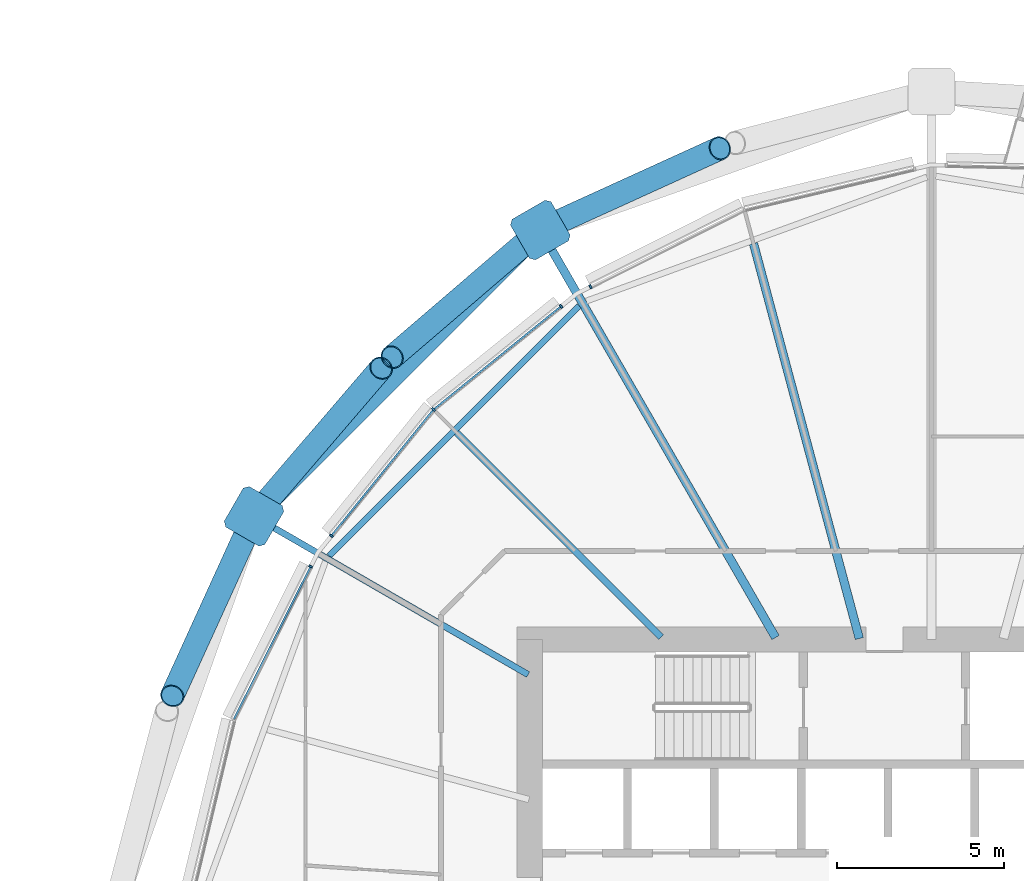
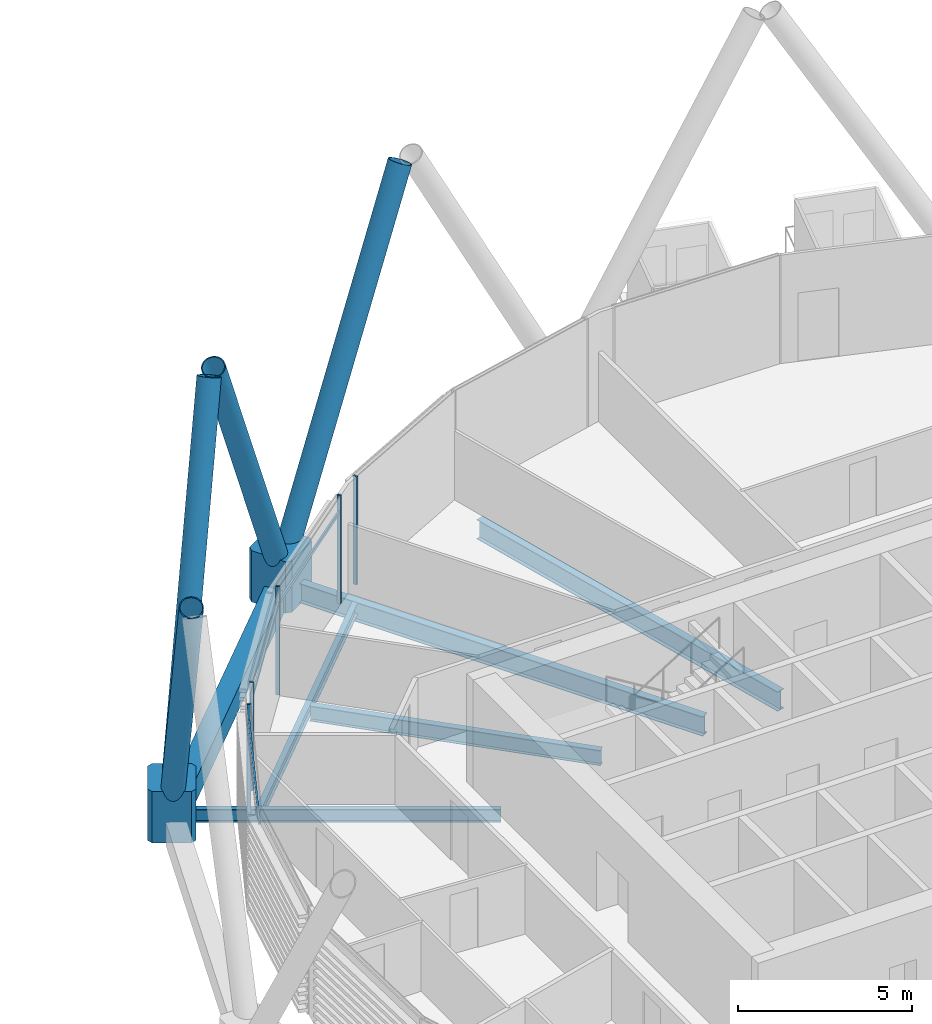
# One storey, part 18 of 38: 14 members, 6 beams, 1 element without a shape of its own.
"""IFC4 building model written with IfcOpenShell, lengths in metres."""

import ifcopenshell
import ifcopenshell.guid

model = None  # the IFC model being written
_history = None  # IfcOwnerHistory: only IFC2X3 demands one
_inside = {}  # id of a spatial element -> (the spatial element, [elements in it])
_under = {}  # id of a project, library or spatial element -> (it, [spatial elements below it])
_declared = {}  # id of a project -> (the project, [libraries it declares])
_typed = {}  # id of a type object -> (the type object, [elements of that type])
_made_of = {}  # id of a material, layer set ... -> (it, [elements and type objects made of it])


def new_model(schema):
    """Start an empty IFC model of exactly this schema.

    Asked for "IFC4X3", IfcOpenShell would pick the latest addendum, in which some entities
    have other attributes; the version numbers below select the first issue.
    IFC2X3 requires an IfcOwnerHistory on every rooted entity: one is made here for all.
    """
    global model, _history
    if schema == "IFC4X3":
        model = ifcopenshell.file(schema_version=(4, 3, 0, 0))
    else:
        model = ifcopenshell.file(schema=schema)
    _inside.clear()
    _under.clear()
    _declared.clear()
    _typed.clear()
    _made_of.clear()
    _history = None
    if model.schema == "IFC2X3":
        org = make("IfcOrganization", Name="unknown")
        user = make(
            "IfcPersonAndOrganization",
            ThePerson=make("IfcPerson", FamilyName="unknown"),
            TheOrganization=org,
        )
        app = make(
            "IfcApplication",
            ApplicationDeveloper=org,
            Version="unknown",
            ApplicationFullName="unknown",
            ApplicationIdentifier="unknown",
        )
        _history = make(
            "IfcOwnerHistory",
            OwningUser=user,
            OwningApplication=app,
            ChangeAction="ADDED",
            CreationDate=0,
        )
    return model


def make(cls, **values):
    """One entity of the class cls with the attributes given. An attribute that is None is left unset."""
    return model.create_entity(
        cls, **{name: value for name, value in values.items() if value is not None}
    )


def rooted(cls, **values):
    """An entity with a GlobalId (a new one), such as an element, a storey or a relation."""
    return make(cls, GlobalId=ifcopenshell.guid.new(), OwnerHistory=_history, **values)


def si_unit(unit_type, name, prefix=None):
    """IfcSIUnit, for example si_unit("LENGTHUNIT", "METRE", prefix="MILLI")."""
    return make("IfcSIUnit", UnitType=unit_type, Prefix=prefix, Name=name)


def assignment(units):
    """IfcUnitAssignment: the units of a project."""
    return None if units is None else make("IfcUnitAssignment", Units=units)


def point(xyz):
    """IfcCartesianPoint."""
    return None if xyz is None else make("IfcCartesianPoint", Coordinates=xyz)


def direction(xyz):
    """IfcDirection."""
    return None if xyz is None else make("IfcDirection", DirectionRatios=xyz)


def frame(location, z_axis=None, x_axis=None):
    """IfcAxis2Placement3D, a coordinate frame: its origin and axes. An axis left out is left unset."""
    return make(
        "IfcAxis2Placement3D",
        Location=point(location),
        Axis=direction(z_axis),
        RefDirection=direction(x_axis),
    )


def frame_2d(location, x_axis=None):
    """IfcAxis2Placement2D, a coordinate frame in the plane: its origin and x axis."""
    return make(
        "IfcAxis2Placement2D", Location=point(location), RefDirection=direction(x_axis)
    )


def origin():
    """The frame at (0, 0, 0) with its axes left unset."""
    return frame((0.0, 0.0, 0.0))


def origin_2d():
    """The frame at (0, 0) in the plane with its x axis left unset."""
    return frame_2d((0.0, 0.0))


def place(relative_to, where):
    """IfcLocalPlacement: puts the frame where relative to a parent placement (None: the world)."""
    return make(
        "IfcLocalPlacement", PlacementRelTo=relative_to, RelativePlacement=where
    )


def context(
    kind, dimensions, precision=None, world=None, true_north=None, identifier=None
):
    """IfcGeometricRepresentationContext, for example the 3D "Model" context."""
    return make(
        "IfcGeometricRepresentationContext",
        ContextIdentifier=identifier,
        ContextType=kind,
        CoordinateSpaceDimension=dimensions,
        Precision=precision,
        WorldCoordinateSystem=world,
        TrueNorth=true_north,
    )


def subcontext(parent, identifier, kind, view, scale=None):
    """IfcGeometricRepresentationSubContext, for example "Body" below "Model"."""
    return make(
        "IfcGeometricRepresentationSubContext",
        ContextIdentifier=identifier,
        ContextType=kind,
        ParentContext=parent,
        TargetScale=scale,
        TargetView=view,
    )


def project(units=None, contexts=None):
    """IfcProject with its units and contexts."""
    return rooted(
        "IfcProject",
        Name="project",
        RepresentationContexts=contexts,
        UnitsInContext=assignment(units),
    )


def spatial(cls, under=None, at=None, **own):
    """A site, building, storey or space (cls), placed at a placement, below another one or the project."""
    s = rooted(cls, ObjectPlacement=at, **own)
    if under is not None:
        _under.setdefault(under.id(), (under, []))[1].append(s)
    return s


def polyline(points):
    """IfcPolyline through the points."""
    return make("IfcPolyline", Points=[point(p) for p in points])


def profile(cls, at=None, kind="AREA", **sizes):
    """A parametric profile (cls). Its sizes go by their IFC names, for example OverallWidth=200.0."""
    return make(cls, ProfileType=kind, Position=at, **sizes)


def rectangle(**sizes):
    """IfcRectangleProfileDef."""
    return profile("IfcRectangleProfileDef", **sizes)


def hollow_rectangle(**sizes):
    """IfcRectangleHollowProfileDef."""
    return profile("IfcRectangleHollowProfileDef", **sizes)


def hollow_circle(**sizes):
    """IfcCircleHollowProfileDef."""
    return profile("IfcCircleHollowProfileDef", **sizes)


def i_section(**sizes):
    """IfcIShapeProfileDef."""
    return profile("IfcIShapeProfileDef", **sizes)


def outline(outer, holes=None, kind="AREA"):
    """IfcArbitraryClosedProfileDef: a profile drawn as a closed curve; with holes, ...WithVoids."""
    if holes is None:
        return make("IfcArbitraryClosedProfileDef", ProfileType=kind, OuterCurve=outer)
    return make(
        "IfcArbitraryProfileDefWithVoids",
        ProfileType=kind,
        OuterCurve=outer,
        InnerCurves=holes,
    )


def extrude(swept, where, along, depth):
    """IfcExtrudedAreaSolid: the profile swept, set in the frame where, extruded along a direction by depth."""
    return make(
        "IfcExtrudedAreaSolid",
        SweptArea=swept,
        Position=where,
        ExtrudedDirection=direction(along),
        Depth=depth,
    )


def shape(context_of_items, identifier, shape_type, items):
    """IfcShapeRepresentation: the items that make up one representation, for example the "Body"."""
    return make(
        "IfcShapeRepresentation",
        ContextOfItems=context_of_items,
        RepresentationIdentifier=identifier,
        RepresentationType=shape_type,
        Items=items,
    )


def material(Name=None, Category=None):
    """IfcMaterial."""
    return make("IfcMaterial", Name=Name, Category=Category)


def material_profile(
    of_material, cross_section, Name=None, Category=None, Priority=None
):
    """IfcMaterialProfile: a cross section and its material."""
    return make(
        "IfcMaterialProfile",
        Name=Name,
        Material=of_material,
        Profile=cross_section,
        Priority=Priority,
        Category=Category,
    )


def profile_set(profiles, Name=None, composite=None):
    """IfcMaterialProfileSet."""
    return make(
        "IfcMaterialProfileSet",
        Name=Name,
        MaterialProfiles=profiles,
        CompositeProfile=composite,
    )


def made_of(thing, what):
    """Note that an element or type object is made of a material, layer set ...; save() writes the relation."""
    if what is not None:
        _made_of.setdefault(what.id(), (what, []))[1].append(thing)
    return thing


def type_object(cls, material=None, **own):
    """A type object (cls), such as IfcWallType, which elements share."""
    return made_of(rooted(cls, **own), material)


def element(
    cls,
    number,
    at=None,
    inside=None,
    cuts=None,
    type_object=None,
    material=None,
    context=None,
    identifier="Body",
    shape_type=None,
    held_by="IfcProductDefinitionShape",
    body=None,
    shapes=None,
    **own,
):
    """One element of the class cls, such as IfcWall. Its Tag is "e" and its number.

    at: its placement. inside: the storey or other place that contains it. cuts: it is an
    opening in that element (IfcRelVoidsElement). A single representation is given by context,
    identifier, shape_type and body (its items); several are given by shapes. held_by: the class
    of the entity that holds the representations. save() writes the other relations.
    """
    e = rooted(cls, Tag="e%d" % number, ObjectPlacement=at, **own)
    if body is not None:
        shapes = [shape(context, identifier, shape_type, body)]
    if shapes is not None:
        e.Representation = make(held_by, Representations=shapes)
    if inside is not None:
        _inside.setdefault(inside.id(), (inside, []))[1].append(e)
    if cuts is not None:
        rooted(
            "IfcRelVoidsElement", RelatingBuildingElement=cuts, RelatedOpeningElement=e
        )
    if type_object is not None:
        _typed.setdefault(type_object.id(), (type_object, []))[1].append(e)
    return made_of(e, material)


def aggregate(whole, parts):
    """IfcRelAggregates: a whole, such as a stair, and the parts it consists of."""
    return rooted("IfcRelAggregates", RelatingObject=whole, RelatedObjects=parts)


def save(model, path):
    """Write the relations noted so far, then the file.

    IfcRelAggregates (storeys below a building ...), IfcRelContainedInSpatialStructure (elements
    in a storey), IfcRelDefinesByType, IfcRelAssociatesMaterial and IfcRelDeclares: one each for
    every whole, place, type object, material and project.
    """
    for whole, parts in _under.values():
        aggregate(whole, parts)
    for where, things in _inside.values():
        rooted(
            "IfcRelContainedInSpatialStructure",
            RelatedElements=things,
            RelatingStructure=where,
        )
    for kind, things in _typed.values():
        rooted("IfcRelDefinesByType", RelatedObjects=things, RelatingType=kind)
    for what, things in _made_of.values():
        rooted("IfcRelAssociatesMaterial", RelatedObjects=things, RelatingMaterial=what)
    for by, libraries in _declared.values():
        rooted("IfcRelDeclares", RelatingContext=by, RelatedDefinitions=libraries)
    model.write(path)


model = new_model("IFC4")

# Units and contexts
model_context = context("Model", 3, precision=1e-05, world=origin(), true_north=direction((0.0, 1.0)))
body_context = subcontext(model_context, "Body", "Model", "MODEL_VIEW")
ifc_project = project(units=[si_unit("LENGTHUNIT", "METRE"), si_unit("AREAUNIT", "SQUARE_METRE"), si_unit("VOLUMEUNIT", "CUBIC_METRE"), si_unit("PLANEANGLEUNIT", "RADIAN"), si_unit("MASSUNIT", "GRAM", prefix="KILO")], contexts=[model_context])

# Site, building, storey
site_placement = place(None, origin())
site = spatial("IfcSite", under=ifc_project, at=site_placement, CompositionType="ELEMENT")
building_placement = place(site_placement, origin())
building = spatial("IfcBuilding", under=site, at=building_placement, Name="Rimbun Link Towers", CompositionType="ELEMENT")
storey_placement = place(building_placement, frame((0.0, 0.0, 93.0)))
storey = spatial("IfcBuildingStorey", under=building, at=storey_placement, Name="L22", CompositionType="ELEMENT", Elevation=93.0)

# Curtain wall, members
ifc_material_1 = material(Name="Aluminium 6063-T6 and low-iron glass", Category="aluminium")
curtain_wall_type = type_object("IfcCurtainWallType", Name="CW1-Z2 unitised vision wall (zone 2)", PredefinedType="NOTDEFINED", material=ifc_material_1)
curtain_wall_placement = place(storey_placement, origin())
curtain_wall = element("IfcCurtainWall", 1, at=curtain_wall_placement, inside=storey, type_object=curtain_wall_type, Name="CW1 L22 T2", PredefinedType="NOTDEFINED")
ifc_material_2 = material(Name="Aluminium 6063-T6", Category="aluminium")
ifc_material_profile_1 = material_profile(ifc_material_2, rectangle(XDim=0.1201171875, YDim=0.06005859375, at=origin_2d()), Name="MULLION 60X120")
ifc_profile_set_1 = profile_set([ifc_material_profile_1], Name="Aluminium 6063-T6")
member_type_1 = type_object("IfcMemberType", Name="CW1 mullion 60X120", PredefinedType="MULLION", material=ifc_profile_set_1)
member_1_placement = place(storey_placement, frame((21.564697265625, 18.546875, 0.0), z_axis=(0.0, 0.0, 1.0), x_axis=(-0.448782301468, 0.893641116942, 0.0)))
member_1 = element("IfcMember", 2, at=member_1_placement, type_object=member_type_1, Name="CW1 mullion", PredefinedType="MULLION", context=body_context, shape_type="SweptSolid", body=[
    extrude(rectangle(XDim=0.1201171875, YDim=0.06005859375, at=origin_2d()), origin(), (0.0, 0.0, 1.0), 3.800048828125),
])
member_2_placement = place(storey_placement, frame((16.87451171875, 14.87548828125, 0.0), z_axis=(0.0, 0.0, 1.0), x_axis=(-0.707106781187, 0.707106781187, 0.0)))
member_2 = element("IfcMember", 3, at=member_2_placement, type_object=member_type_1, Name="CW1 mullion", PredefinedType="MULLION", context=body_context, shape_type="SweptSolid", body=[
    extrude(rectangle(XDim=0.1201171875, YDim=0.06005859375, at=origin_2d()), origin(), (0.0, 0.0, 1.0), 3.800048828125),
])
member_3_placement = place(storey_placement, frame((20.685302734375, 17.96044921875, 0.0), z_axis=(0.0, 0.0, 1.0), x_axis=(-0.629155313069, 0.777279609946, 0.0)))
member_3 = element("IfcMember", 4, at=member_3_placement, type_object=member_type_1, Name="CW1 mullion", PredefinedType="MULLION", context=body_context, shape_type="SweptSolid", body=[
    extrude(rectangle(XDim=0.1201171875, YDim=0.06005859375, at=origin_2d()), origin(), (0.0, 0.0, 1.0), 3.800048828125),
])
member_4_placement = place(storey_placement, frame((13.821044921875, 11.103515625, 0.0), z_axis=(0.0, 0.0, 1.0), x_axis=(-0.777279609946, 0.629155313069, 0.0)))
member_4 = element("IfcMember", 5, at=member_4_placement, type_object=member_type_1, Name="CW1 mullion", PredefinedType="MULLION", context=body_context, shape_type="SweptSolid", body=[
    extrude(rectangle(XDim=0.1201171875, YDim=0.06005859375, at=origin_2d()), origin(), (0.0, 0.0, 1.0), 3.800048828125),
])
member_5_placement = place(storey_placement, frame((13.203125, 10.185302734375, 0.0), z_axis=(0.0, 0.0, 1.0), x_axis=(-0.893641116942, 0.448782301468, 0.0)))
member_5 = element("IfcMember", 6, at=member_5_placement, type_object=member_type_1, Name="CW1 mullion", PredefinedType="MULLION", context=body_context, shape_type="SweptSolid", body=[
    extrude(rectangle(XDim=0.1201171875, YDim=0.06005859375, at=origin_2d()), origin(), (0.0, 0.0, 1.0), 3.800048828125),
])
ifc_material_3 = material(Name="Aluminium 6063-T6", Category="aluminium")
ifc_material_profile_2 = material_profile(ifc_material_3, rectangle(XDim=0.06005859375, YDim=0.1201171875, at=origin_2d()), Name="TRANSOM 60X120")
ifc_profile_set_2 = profile_set([ifc_material_profile_2], Name="Aluminium 6063-T6")
member_type_2 = type_object("IfcMemberType", Name="CW1 transom 60X120", PredefinedType="USERDEFINED", material=ifc_profile_set_2)
member_6_placement = place(storey_placement, frame((16.90380859375, 14.89697265625, 3.199951171875), z_axis=(0.777290712552, 0.629141596289, 0.0), x_axis=(-0.629141596289, 0.777290712552, 0.0)))
member_6 = element("IfcMember", 7, at=member_6_placement, type_object=member_type_2, Name="CW1 transom", ObjectType="TRANSOM", PredefinedType="USERDEFINED", context=body_context, shape_type="SweptSolid", body=[
    extrude(rectangle(XDim=0.06005859375, YDim=0.1201171875, at=origin_2d()), origin(), (0.0, 0.0, 1.0), 4.836669921875),
])
member_7_placement = place(storey_placement, frame((13.841552734375, 11.12548828125, 3.199951171875), z_axis=(0.629132200896, 0.777298317119, 0.0), x_axis=(-0.777298317119, 0.629132200896, 0.0)))
member_7 = element("IfcMember", 8, at=member_7_placement, type_object=member_type_2, Name="CW1 transom", ObjectType="TRANSOM", PredefinedType="USERDEFINED", context=body_context, shape_type="SweptSolid", body=[
    extrude(rectangle(XDim=0.06005859375, YDim=0.1201171875, at=origin_2d()), origin(), (0.0, 0.0, 1.0), 4.78662109375),
])
member_8_placement = place(storey_placement, frame((10.915283203125, 5.625244140625, 3.199951171875), z_axis=(0.448791829495, 0.893636331948, 0.0), x_axis=(-0.893636331948, 0.448791829495, 0.0)))
member_8 = element("IfcMember", 9, at=member_8_placement, type_object=member_type_2, Name="CW1 transom", ObjectType="TRANSOM", PredefinedType="USERDEFINED", context=body_context, shape_type="SweptSolid", body=[
    extrude(rectangle(XDim=0.06005859375, YDim=0.1201171875, at=origin_2d()), origin(), (0.0, 0.0, 1.0), 5.07177734375),
])
aggregate(curtain_wall, [member_1, member_2, member_3, member_4, member_5, member_6, member_7, member_8])

# Members
ifc_material_4 = material(Name="Steel S460NH", Category="steel")
ifc_material_profile_3 = material_profile(ifc_material_4, hollow_circle(Radius=0.355712890625, WallThickness=0.031982421875, at=origin_2d()), Name="Diagrid diagonal CHS 711x32")
ifc_profile_set_3 = profile_set([ifc_material_profile_3], Name="Steel S460NH")
member_type_3 = type_object("IfcMemberType", Name="Diagrid diagonal CHS 711x32", PredefinedType="BRACE", material=ifc_profile_set_3)
member_9_placement = place(storey_placement, frame((20.280029296875, 20.338134765625, 0.440185546875), z_axis=(0.431130822174, 0.196394049031, 0.880656341416), x_axis=(-0.414547145452, 0.910027837045, 0.0)))
element("IfcMember", 10, at=member_9_placement, inside=storey, type_object=member_type_3, Name="Diagrid diagonal T2 L22-L25 05a", PredefinedType="BRACE", context=body_context, shape_type="SweptSolid", body=[
    extrude(hollow_circle(Radius=0.355712890625, WallThickness=0.031982421875, at=origin_2d()), origin(), (0.0, 0.0, 1.0), 11.945068359375),
])
for number, where, z_axis, x_axis, name in (
    (11, (19.88623046875, 20.0869140625, 0.44140625), (-0.35659324276, -0.305832857592, 0.88278396136), (0.65101407403, -0.759065659488, 0.0), "Diagrid diagonal T2 L22-L25 05b"),
    (12, (11.6630859375, 11.86376953125, 0.44140625), (0.305832857592, 0.35659324276, 0.88278396136), (-0.759065659488, 0.65101407403, 0.0), "Diagrid diagonal T2 L22-L25 07a"),
):
    element("IfcMember", number, at=place(storey_placement, frame(where, z_axis=z_axis, x_axis=x_axis)), inside=storey, type_object=member_type_3, Name=name, PredefinedType="BRACE", context=body_context, shape_type="SweptSolid", body=[
        extrude(hollow_circle(Radius=0.355712890625, WallThickness=0.031982421875, at=origin_2d()), origin(), (0.0, 0.0, 1.0), 11.91357421875),
    ])
member_10_placement = place(storey_placement, frame((11.411865234375, 11.469970703125, 0.440185546875), z_axis=(-0.196394049031, -0.431130822174, 0.880656341416), x_axis=(0.910027837045, -0.414547145452, 0.0)))
element("IfcMember", 13, at=member_10_placement, inside=storey, type_object=member_type_3, Name="Diagrid diagonal T2 L22-L25 07b", PredefinedType="BRACE", context=body_context, shape_type="SweptSolid", body=[
    extrude(hollow_circle(Radius=0.355712890625, WallThickness=0.031982421875, at=origin_2d()), origin(), (0.0, 0.0, 1.0), 11.945068359375),
])
ifc_material_5 = material(Name="Cast steel G20Mn5+QT, Rp0.2 300 MPa", Category="steel")
ifc_material_profile_4 = material_profile(ifc_material_5, outline(polyline([(0.699951171875, -0.570068359375), (0.699951171875, 0.570068359375), (0.570068359375, 0.699951171875), (-0.570068359375, 0.699951171875), (-0.699951171875, 0.570068359375), (-0.699951171875, -0.570068359375), (-0.570068359375, -0.699951171875), (0.570068359375, -0.699951171875), (0.699951171875, -0.570068359375)])), Name="NODE 1400x1400")
ifc_profile_set_4 = profile_set([ifc_material_profile_4], Name="Cast steel G20Mn5+QT, Rp0.2 300 MPa")
member_type_4 = type_object("IfcMemberType", Name="Diagrid node cast 1400", PredefinedType="USERDEFINED", material=ifc_profile_set_4)
for number, where, z_axis, x_axis, name in (
    (14, (20.064453125, 20.239990234375, -0.89990234375), (0.0, 0.0, 1.0), (-0.5, 0.866025403784, 0.0), "Diagrid node L22 05"),
    (15, (11.510009765625, 11.685546875, -0.89990234375), (0.0, 0.0, 1.0), (-0.866025403784, 0.5, 0.0), "Diagrid node L22 07"),
):
    element("IfcMember", number, at=place(storey_placement, frame(where, z_axis=z_axis, x_axis=x_axis)), inside=storey, type_object=member_type_4, Name=name, ObjectType="Diagrid node", PredefinedType="USERDEFINED", context=body_context, shape_type="SweptSolid", body=[
        extrude(outline(polyline([(0.699951171875, -0.570068359375), (0.699951171875, 0.570068359375), (0.570068359375, 0.699951171875), (-0.570068359375, 0.699951171875), (-0.699951171875, 0.570068359375), (-0.699951171875, -0.570068359375), (-0.570068359375, -0.699951171875), (0.570068359375, -0.699951171875), (0.699951171875, -0.570068359375)])), origin(), (0.0, 0.0, 1.0), 1.7998046875),
    ])

# Beams
ifc_material_6 = material(Name="Steel S355J2", Category="steel")
ifc_material_profile_5 = material_profile(ifc_material_6, hollow_rectangle(XDim=0.60009765625, YDim=0.800048828125, WallThickness=0.0400390625, at=origin_2d()), Name="Exoskeleton ring girder BOX 600x800x40")
ifc_profile_set_5 = profile_set([ifc_material_profile_5], Name="Steel S355J2")
beam_type_1 = type_object("IfcBeamType", Name="Exoskeleton ring girder BOX 600x800x40", PredefinedType="BEAM", material=ifc_profile_set_5)
beam_1_placement = place(storey_placement, frame((19.569580078125, 19.744873046875, -0.56005859375), z_axis=(-0.707106781187, -0.707106781187, 0.0), x_axis=(0.707106781187, -0.707106781187, 0.0)))
element("IfcBeam", 16, at=beam_1_placement, inside=storey, type_object=beam_type_1, Name="Exoskeleton ring girder L22 02", PredefinedType="BEAM", context=body_context, shape_type="SweptSolid", body=[
    extrude(hollow_rectangle(XDim=0.60009765625, YDim=0.800048828125, WallThickness=0.0400390625, at=origin_2d()), origin(), (0.0, 0.0, 1.0), 10.69775390625),
])
ifc_material_7 = material(Name="Steel S355J2", Category="steel")
ifc_material_profile_6 = material_profile(ifc_material_7, i_section(OverallWidth=0.177978515625, OverallDepth=0.406494140625, WebThickness=0.0078125, FlangeThickness=0.0126953125, at=origin_2d()), Name="UB 406x178x60")
ifc_profile_set_6 = profile_set([ifc_material_profile_6], Name="Steel S355J2")
beam_type_2 = type_object("IfcBeamType", Name="UB 406x178x60", PredefinedType="BEAM", material=ifc_profile_set_6)
beam_2_placement = place(storey_placement, frame((21.222412109375, 17.978515625, -0.36328125), z_axis=(-0.707106781187, -0.707106781187, 0.0), x_axis=(0.707106781187, -0.707106781187, 0.0)))
element("IfcBeam", 17, at=beam_2_placement, inside=storey, type_object=beam_type_2, Name="Edge beam T2 L22 05-07", PredefinedType="BEAM", context=body_context, shape_type="SweptSolid", body=[
    extrude(i_section(OverallWidth=0.177978515625, OverallDepth=0.406494140625, WebThickness=0.0078125, FlangeThickness=0.0126953125, at=origin_2d()), origin(), (0.0, 0.0, 1.0), 10.5703125),
])
ifc_material_8 = material(Name="Steel S355J2", Category="steel")
ifc_material_profile_7 = material_profile(ifc_material_8, i_section(OverallWidth=0.18994140625, OverallDepth=0.453369140625, WebThickness=0.008544921875, FlangeThickness=0.0126953125, at=origin_2d()), Name="UB 457x191x67")
ifc_profile_set_7 = profile_set([ifc_material_profile_7], Name="Steel S355J2")
beam_type_3 = type_object("IfcBeamType", Name="UB 457x191x67", PredefinedType="BEAM", material=ifc_profile_set_7)
beam_3_placement = place(storey_placement, frame((19.70166015625, 6.9560546875, -0.38671875), z_axis=(-0.866020851292, 0.500007885066, 0.0), x_axis=(-0.500007885066, -0.866020851292, 0.0)))
element("IfcBeam", 18, at=beam_3_placement, inside=storey, type_object=beam_type_3, Name="Radial beam T2 L22 07", PredefinedType="BEAM", context=body_context, shape_type="SweptSolid", body=[
    extrude(i_section(OverallWidth=0.18994140625, OverallDepth=0.453369140625, WebThickness=0.008544921875, FlangeThickness=0.0126953125, at=origin_2d()), origin(), (0.0, 0.0, 1.0), 8.958740234375),
])
ifc_material_9 = material(Name="Steel S355J2", Category="steel")
ifc_material_profile_8 = material_profile(ifc_material_9, i_section(OverallWidth=0.209228515625, OverallDepth=0.533203125, WebThickness=0.010009765625, FlangeThickness=0.015625, at=origin_2d()), Name="UB 533x210x92")
ifc_profile_set_8 = profile_set([ifc_material_profile_8], Name="Steel S355J2")
beam_type_4 = type_object("IfcBeamType", Name="UB 533x210x92", PredefinedType="BEAM", material=ifc_profile_set_8)
beam_4_placement = place(storey_placement, frame((23.67529296875, 8.07470703125, -0.426513671875), z_axis=(-0.707106781187, 0.707106781187, 0.0), x_axis=(-0.707106781187, -0.707106781187, 0.0)))
element("IfcBeam", 19, at=beam_4_placement, inside=storey, type_object=beam_type_4, Name="Radial beam T2 L22 06", PredefinedType="BEAM", context=body_context, shape_type="SweptSolid", body=[
    extrude(i_section(OverallWidth=0.209228515625, OverallDepth=0.533203125, WebThickness=0.010009765625, FlangeThickness=0.015625, at=origin_2d()), origin(), (0.0, 0.0, 1.0), 8.6474609375),
])
ifc_material_10 = material(Name="Steel S355J2", Category="steel")
ifc_material_profile_9 = material_profile(ifc_material_10, i_section(OverallWidth=0.253662109375, OverallDepth=0.68359375, WebThickness=0.012451171875, FlangeThickness=0.01904296875, at=origin_2d()), Name="UB 686x254x140")
ifc_profile_set_9 = profile_set([ifc_material_profile_9], Name="Steel S355J2")
beam_type_5 = type_object("IfcBeamType", Name="UB 686x254x140", PredefinedType="BEAM", material=ifc_profile_set_9)
beam_5_placement = place(storey_placement, frame((29.597412109375, 8.03369140625, -0.501708984375), z_axis=(-0.258823610988, 0.965924602852, 0.0), x_axis=(-0.965924602852, -0.258823610988, 0.0)))
element("IfcBeam", 20, at=beam_5_placement, inside=storey, type_object=beam_type_5, Name="Radial beam T2 L22 04", PredefinedType="BEAM", context=body_context, shape_type="SweptSolid", body=[
    extrude(i_section(OverallWidth=0.253662109375, OverallDepth=0.68359375, WebThickness=0.012451171875, FlangeThickness=0.01904296875, at=origin_2d()), origin(), (0.0, 0.0, 1.0), 12.222900390625),
])
beam_6_placement = place(storey_placement, frame((27.093994140625, 8.064208984375, -0.501708984375), z_axis=(-0.499994689528, 0.866028469765, 0.0), x_axis=(-0.866028469765, -0.499994689528, 0.0)))
element("IfcBeam", 21, at=beam_6_placement, inside=storey, type_object=beam_type_5, Name="Radial beam T2 L22 05", PredefinedType="BEAM", context=body_context, shape_type="SweptSolid", body=[
    extrude(i_section(OverallWidth=0.253662109375, OverallDepth=0.68359375, WebThickness=0.012451171875, FlangeThickness=0.01904296875, at=origin_2d()), origin(), (0.0, 0.0, 1.0), 13.559326171875),
])

save(model, "model.ifc")
